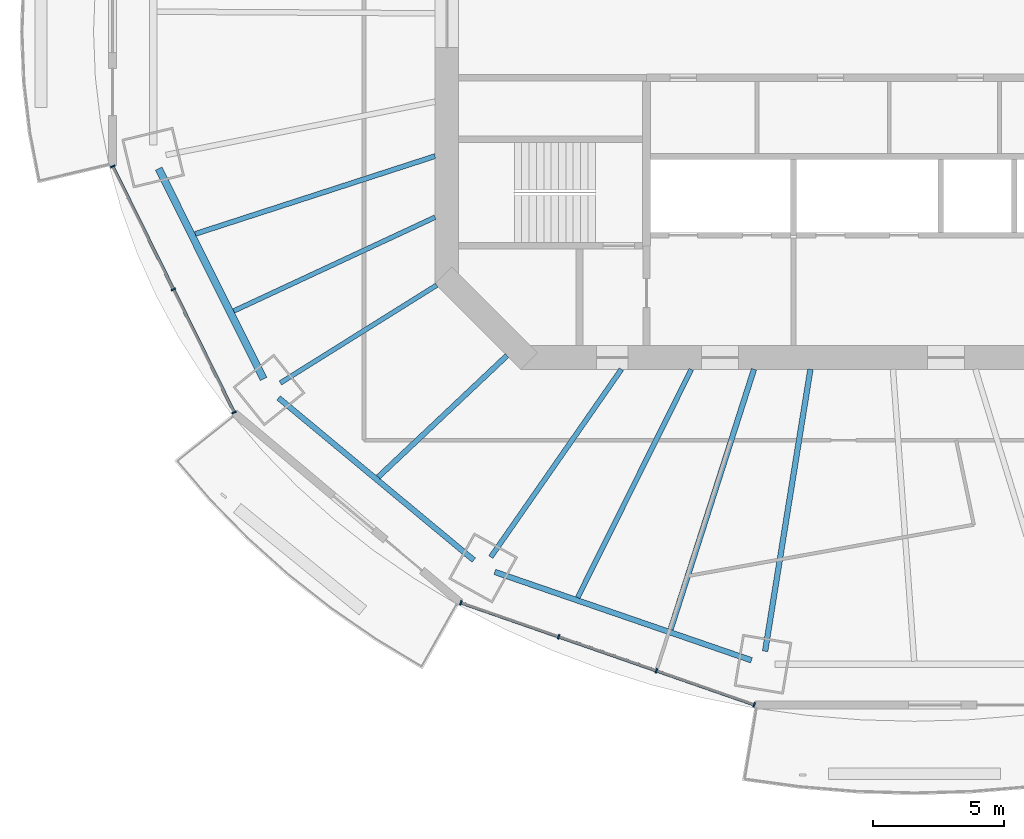
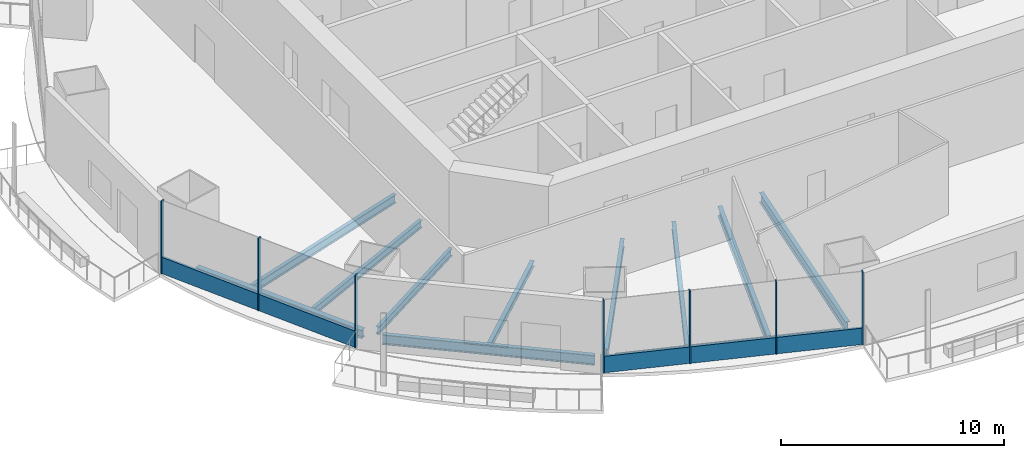
# One storey, part 2 of 20: 11 beams, 9 members, 2 elements without a shape of their own.
"""IFC4 building model written with IfcOpenShell, lengths in metres."""

from ifc_helpers import new_model, si_unit, direction, frame, origin, origin_2d, place, context, subcontext, project, spatial, rectangle, i_section, extrude, material, material_profile, profile_set, type_object, element, aggregate, save


model = new_model("IFC4")

# Units and contexts
model_context = context("Model", 3, precision=1e-05, world=origin(), true_north=direction((0.0, 1.0)))
body_context = subcontext(model_context, "Body", "Model", "MODEL_VIEW")
ifc_project = project(units=[si_unit("LENGTHUNIT", "METRE"), si_unit("AREAUNIT", "SQUARE_METRE"), si_unit("VOLUMEUNIT", "CUBIC_METRE"), si_unit("PLANEANGLEUNIT", "RADIAN"), si_unit("MASSUNIT", "GRAM", prefix="KILO")], contexts=[model_context])

# Site, building, storey
site_placement = place(None, origin())
site = spatial("IfcSite", under=ifc_project, at=site_placement, CompositionType="ELEMENT")
building_placement = place(site_placement, origin())
building = spatial("IfcBuilding", under=site, at=building_placement, Name="Marenthal Gate Tower", CompositionType="ELEMENT")
storey_placement = place(building_placement, frame((0.0, 0.0, 215.0)))
storey = spatial("IfcBuildingStorey", under=building, at=storey_placement, Name="L47", CompositionType="ELEMENT", Elevation=215.0)

# Curtain wall, members
ifc_material_1 = material(Name="Aluminium and glass", Category="aluminium")
curtain_wall_type = type_object("IfcCurtainWallType", Name="Curtain wall typical mid", PredefinedType="NOTDEFINED", material=ifc_material_1)
curtain_wall_1_placement = place(storey_placement, origin())
curtain_wall_1 = element("IfcCurtainWall", 1, at=curtain_wall_1_placement, inside=storey, type_object=curtain_wall_type, Name="Curtain wall L47 bay 9", PredefinedType="NOTDEFINED")
ifc_material_2 = material(Name="Aluminium", Category="aluminium")
ifc_material_profile_1 = material_profile(ifc_material_2, rectangle(XDim=0.179931640625, YDim=0.06005859375, at=origin_2d()), Name="60x180 aluminium mullion")
ifc_profile_set_1 = profile_set([ifc_material_profile_1], Name="Aluminium")
member_type_1 = type_object("IfcMemberType", Name="Mullion 60x180 typical mid", PredefinedType="MULLION", material=ifc_profile_set_1)
member_1_placement = place(storey_placement, frame((-28.718505859375, -5.724609375, 0.0), z_axis=(0.0, 0.0, 1.0), x_axis=(0.896756924648, 0.442523466153, 0.0)))
member_1 = element("IfcMember", 2, at=member_1_placement, type_object=member_type_1, Name="Mullion L47 bay 9.1", PredefinedType="MULLION", context=body_context, shape_type="SweptSolid", body=[
    extrude(rectangle(XDim=0.179931640625, YDim=0.06005859375, at=origin_2d()), origin(), (0.0, 0.0, 1.0), 3.969970703125),
])
member_2_placement = place(storey_placement, frame((-26.40771484375, -10.407470703125, 0.0), z_axis=(0.0, 0.0, 1.0), x_axis=(0.896756924648, 0.442523466153, 0.0)))
member_2 = element("IfcMember", 3, at=member_2_placement, type_object=member_type_1, Name="Mullion L47 bay 9.2", PredefinedType="MULLION", context=body_context, shape_type="SweptSolid", body=[
    extrude(rectangle(XDim=0.179931640625, YDim=0.06005859375, at=origin_2d()), origin(), (0.0, 0.0, 1.0), 3.969970703125),
])
member_3_placement = place(storey_placement, frame((-24.096923828125, -15.090087890625, 0.0), z_axis=(0.0, 0.0, 1.0), x_axis=(0.896756924648, 0.442523466153, 0.0)))
member_3 = element("IfcMember", 4, at=member_3_placement, type_object=member_type_1, Name="Mullion L47 bay 9.3", PredefinedType="MULLION", context=body_context, shape_type="SweptSolid", body=[
    extrude(rectangle(XDim=0.179931640625, YDim=0.06005859375, at=origin_2d()), origin(), (0.0, 0.0, 1.0), 3.969970703125),
])

curtain_wall_2_placement = place(storey_placement, origin())
curtain_wall_2 = element("IfcCurtainWall", 5, at=curtain_wall_2_placement, inside=storey, type_object=curtain_wall_type, Name="Curtain wall L47 bay 11", PredefinedType="NOTDEFINED")
member_4_placement = place(storey_placement, frame((-15.466552734375, -22.336181640625, 0.0), z_axis=(0.0, 0.0, 1.0), x_axis=(0.328400483847, 0.944538576348, 0.0)))
member_4 = element("IfcMember", 6, at=member_4_placement, type_object=member_type_1, Name="Mullion L47 bay 11.1", PredefinedType="MULLION", context=body_context, shape_type="SweptSolid", body=[
    extrude(rectangle(XDim=0.179931640625, YDim=0.06005859375, at=origin_2d()), origin(), (0.0, 0.0, 1.0), 3.969970703125),
])
member_5_placement = place(storey_placement, frame((-11.744873046875, -23.630126953125, 0.0), z_axis=(0.0, 0.0, 1.0), x_axis=(0.328400483847, 0.944538576348, 0.0)))
member_5 = element("IfcMember", 7, at=member_5_placement, type_object=member_type_1, Name="Mullion L47 bay 11.2", PredefinedType="MULLION", context=body_context, shape_type="SweptSolid", body=[
    extrude(rectangle(XDim=0.179931640625, YDim=0.06005859375, at=origin_2d()), origin(), (0.0, 0.0, 1.0), 3.969970703125),
])
member_6_placement = place(storey_placement, frame((-8.023193359375, -24.924072265625, 0.0), z_axis=(0.0, 0.0, 1.0), x_axis=(0.328400483847, 0.944538576348, 0.0)))
member_6 = element("IfcMember", 8, at=member_6_placement, type_object=member_type_1, Name="Mullion L47 bay 11.3", PredefinedType="MULLION", context=body_context, shape_type="SweptSolid", body=[
    extrude(rectangle(XDim=0.179931640625, YDim=0.06005859375, at=origin_2d()), origin(), (0.0, 0.0, 1.0), 3.969970703125),
])
member_7_placement = place(storey_placement, frame((-4.301513671875, -26.218017578125, 0.0), z_axis=(0.0, 0.0, 1.0), x_axis=(0.328400483847, 0.944538576348, 0.0)))
member_7 = element("IfcMember", 9, at=member_7_placement, type_object=member_type_1, Name="Mullion L47 bay 11.4", PredefinedType="MULLION", context=body_context, shape_type="SweptSolid", body=[
    extrude(rectangle(XDim=0.179931640625, YDim=0.06005859375, at=origin_2d()), origin(), (0.0, 0.0, 1.0), 3.969970703125),
])

# Member
ifc_material_3 = material(Name="Aluminium", Category="aluminium")
ifc_material_profile_2 = material_profile(ifc_material_3, rectangle(XDim=0.1201171875, YDim=0.89990234375, at=origin_2d()), Name="120x900 aluminium transom")
ifc_profile_set_2 = profile_set([ifc_material_profile_2], Name="Aluminium")
member_type_2 = type_object("IfcMemberType", Name="Transom 120x900 typical mid", PredefinedType="USERDEFINED", material=ifc_profile_set_2)
member_8_placement = place(storey_placement, frame((-28.705322265625, -5.75146484375, 0.449951171875), z_axis=(0.442533403339, -0.896752020867, 0.0), x_axis=(0.896752020867, 0.442533403339, 0.0)))
member_8 = element("IfcMember", 10, at=member_8_placement, type_object=member_type_2, Name="Transom L47 bay 9", ObjectType="TRANSOM", PredefinedType="USERDEFINED", context=body_context, shape_type="SweptSolid", body=[
    extrude(rectangle(XDim=0.1201171875, YDim=0.89990234375, at=origin_2d()), origin(), (0.0, 0.0, 1.0), 10.3837890625),
])

aggregate(curtain_wall_1, [member_1, member_2, member_3, member_8])

member_9_placement = place(storey_placement, frame((-15.438232421875, -22.345947265625, 0.449951171875), z_axis=(0.944535997597, -0.328407900703, 0.0), x_axis=(0.328407900703, 0.944535997597, 0.0)))
member_9 = element("IfcMember", 11, at=member_9_placement, type_object=member_type_2, Name="Transom L47 bay 11", ObjectType="TRANSOM", PredefinedType="USERDEFINED", context=body_context, shape_type="SweptSolid", body=[
    extrude(rectangle(XDim=0.1201171875, YDim=0.89990234375, at=origin_2d()), origin(), (0.0, 0.0, 1.0), 11.7607421875),
])

aggregate(curtain_wall_2, [member_4, member_5, member_6, member_7, member_9])

# Beams
ifc_material_4 = material(Name="Steel S355", Category="steel")
ifc_material_profile_3 = material_profile(ifc_material_4, i_section(OverallWidth=0.205078125, OverallDepth=0.31005859375, WebThickness=0.009521484375, FlangeThickness=0.016357421875, FilletRadius=0.0126953125, at=origin_2d()), Name="W310X74")
ifc_profile_set_3 = profile_set([ifc_material_profile_3], Name="Steel S355")
beam_type_1 = type_object("IfcBeamType", Name="W310X74 beam", PredefinedType="BEAM", material=ifc_profile_set_3)
beam_1_placement = place(storey_placement, frame((-18.61572265625, -17.552734375, -0.3349609375), z_axis=(0.727566170505, 0.686037511756, 0.0), x_axis=(-0.686037511756, 0.727566170505, 0.0)))
element("IfcBeam", 12, at=beam_1_placement, inside=storey, type_object=beam_type_1, Name="BM-L47-31", PredefinedType="BEAM", context=body_context, shape_type="SweptSolid", body=[
    extrude(i_section(OverallWidth=0.205078125, OverallDepth=0.31005859375, WebThickness=0.009521484375, FlangeThickness=0.016357421875, FilletRadius=0.0126953125, at=origin_2d()), origin(), (0.0, 0.0, 1.0), 6.742919921875),
])
ifc_material_5 = material(Name="Steel S355", Category="steel")
ifc_material_profile_4 = material_profile(ifc_material_5, i_section(OverallWidth=0.180908203125, OverallDepth=0.4169921875, WebThickness=0.010986328125, FlangeThickness=0.018310546875, FilletRadius=0.01025390625, at=origin_2d()), Name="W410X85")
ifc_profile_set_4 = profile_set([ifc_material_profile_4], Name="Steel S355")
beam_type_2 = type_object("IfcBeamType", Name="W410X85 beam", PredefinedType="BEAM", material=ifc_profile_set_4)
beam_2_placement = place(storey_placement, frame((-22.33984375, -13.97021484375, -0.388427734375), z_axis=(0.847861501348, 0.530217761426, 0.0), x_axis=(-0.530217761426, 0.847861501348, 0.0)))
element("IfcBeam", 13, at=beam_2_placement, inside=storey, type_object=beam_type_2, Name="BM-L47-10", PredefinedType="BEAM", context=body_context, shape_type="SweptSolid", body=[
    extrude(i_section(OverallWidth=0.180908203125, OverallDepth=0.4169921875, WebThickness=0.010986328125, FlangeThickness=0.018310546875, FilletRadius=0.01025390625, at=origin_2d()), origin(), (0.0, 0.0, 1.0), 7.01953125),
])
beam_3_placement = place(storey_placement, frame((-24.1142578125, -11.23046875, -0.388427734375), z_axis=(0.906515570003, 0.422172383444, 0.0), x_axis=(-0.422172383444, 0.906515570003, 0.0)))
element("IfcBeam", 14, at=beam_3_placement, inside=storey, type_object=beam_type_2, Name="BM-L47-30", PredefinedType="BEAM", context=body_context, shape_type="SweptSolid", body=[
    extrude(i_section(OverallWidth=0.180908203125, OverallDepth=0.4169921875, WebThickness=0.010986328125, FlangeThickness=0.018310546875, FilletRadius=0.01025390625, at=origin_2d()), origin(), (0.0, 0.0, 1.0), 8.45458984375),
])
ifc_material_6 = material(Name="Steel S355", Category="steel")
ifc_material_profile_5 = material_profile(ifc_material_6, i_section(OverallWidth=0.279052734375, OverallDepth=0.4619140625, WebThickness=0.0107421875, FlangeThickness=0.017333984375, FilletRadius=0.010009765625, at=origin_2d()), Name="W460X113")
ifc_profile_set_5 = profile_set([ifc_material_profile_5], Name="Steel S355")
beam_type_3 = type_object("IfcBeamType", Name="W460X113 beam", PredefinedType="BEAM", material=ifc_profile_set_5)
beam_4_placement = place(storey_placement, frame((-26.97021484375, -5.814697265625, -0.410888671875), z_axis=(0.44619754622, -0.894934494668, 0.0), x_axis=(0.894934494668, 0.44619754622, 0.0)))
element("IfcBeam", 15, at=beam_4_placement, inside=storey, type_object=beam_type_3, Name="BM-L47-49", PredefinedType="BEAM", context=body_context, shape_type="SweptSolid", body=[
    extrude(i_section(OverallWidth=0.279052734375, OverallDepth=0.4619140625, WebThickness=0.0107421875, FlangeThickness=0.017333984375, FilletRadius=0.010009765625, at=origin_2d()), origin(), (0.0, 0.0, 1.0), 8.941162109375),
])
ifc_material_7 = material(Name="Steel S355", Category="steel")
ifc_material_profile_6 = material_profile(ifc_material_7, i_section(OverallWidth=0.193115234375, OverallDepth=0.467041015625, WebThickness=0.011474609375, FlangeThickness=0.01904296875, FilletRadius=0.010009765625, at=origin_2d()), Name="W460X97")
ifc_profile_set_6 = profile_set([ifc_material_profile_6], Name="Steel S355")
beam_type_4 = type_object("IfcBeamType", Name="W460X97 beam", PredefinedType="BEAM", material=ifc_profile_set_6)
beam_5_placement = place(storey_placement, frame((-14.32861328125, -20.597900390625, -0.41357421875), z_axis=(0.571058737627, 0.820909202153, 0.0), x_axis=(-0.820909202153, 0.571058737627, 0.0)))
element("IfcBeam", 16, at=beam_5_placement, inside=storey, type_object=beam_type_4, Name="BM-L47-11", PredefinedType="BEAM", context=body_context, shape_type="SweptSolid", body=[
    extrude(i_section(OverallWidth=0.193115234375, OverallDepth=0.467041015625, WebThickness=0.011474609375, FlangeThickness=0.01904296875, FilletRadius=0.010009765625, at=origin_2d()), origin(), (0.0, 0.0, 1.0), 8.707275390625),
])
beam_6_placement = place(storey_placement, frame((-25.577392578125, -8.2958984375, -0.41357421875), z_axis=(0.951216764882, 0.308523364119, 0.0), x_axis=(-0.308523364119, 0.951216764882, 0.0)))
element("IfcBeam", 17, at=beam_6_placement, inside=storey, type_object=beam_type_4, Name="BM-L47-29", PredefinedType="BEAM", context=body_context, shape_type="SweptSolid", body=[
    extrude(i_section(OverallWidth=0.193115234375, OverallDepth=0.467041015625, WebThickness=0.011474609375, FlangeThickness=0.01904296875, FilletRadius=0.010009765625, at=origin_2d()), origin(), (0.0, 0.0, 1.0), 9.595458984375),
])
beam_7_placement = place(storey_placement, frame((-11.018798828125, -22.138916015625, -0.41357421875), z_axis=(0.445582855752, 0.895240704314, 0.0), x_axis=(-0.895240704314, 0.445582855752, 0.0)))
element("IfcBeam", 18, at=beam_7_placement, inside=storey, type_object=beam_type_4, Name="BM-L47-32", PredefinedType="BEAM", context=body_context, shape_type="SweptSolid", body=[
    extrude(i_section(OverallWidth=0.193115234375, OverallDepth=0.467041015625, WebThickness=0.011474609375, FlangeThickness=0.01904296875, FilletRadius=0.010009765625, at=origin_2d()), origin(), (0.0, 0.0, 1.0), 9.705810546875),
])
ifc_material_8 = material(Name="Steel S355", Category="steel")
ifc_material_profile_7 = material_profile(ifc_material_8, i_section(OverallWidth=0.2099609375, OverallDepth=0.535888671875, WebThickness=0.010986328125, FlangeThickness=0.017333984375, FilletRadius=0.0126953125, at=origin_2d()), Name="W530X101")
ifc_profile_set_7 = profile_set([ifc_material_profile_7], Name="Steel S355")
beam_type_5 = type_object("IfcBeamType", Name="W530X101 beam", PredefinedType="BEAM", material=ifc_profile_set_7)
beam_8_placement = place(storey_placement, frame((-7.4833984375, -23.35546875, -0.447998046875), z_axis=(0.305129993383, 0.952310709348, 0.0), x_axis=(-0.952310709348, 0.305129993383, 0.0)))
element("IfcBeam", 19, at=beam_8_placement, inside=storey, type_object=beam_type_5, Name="BM-L47-33", PredefinedType="BEAM", context=body_context, shape_type="SweptSolid", body=[
    extrude(i_section(OverallWidth=0.2099609375, OverallDepth=0.535888671875, WebThickness=0.010986328125, FlangeThickness=0.017333984375, FilletRadius=0.0126953125, at=origin_2d()), origin(), (0.0, 0.0, 1.0), 10.401611328125),
])
ifc_material_9 = material(Name="Steel S355", Category="steel")
ifc_material_profile_8 = material_profile(ifc_material_9, i_section(OverallWidth=0.2119140625, OverallDepth=0.5439453125, WebThickness=0.01318359375, FlangeThickness=0.021240234375, FilletRadius=0.0126953125, at=origin_2d()), Name="W530X123")
ifc_profile_set_8 = profile_set([ifc_material_profile_8], Name="Steel S355")
beam_type_6 = type_object("IfcBeamType", Name="W530X123 beam", PredefinedType="BEAM", material=ifc_profile_set_8)
beam_9_placement = place(storey_placement, frame((-3.885498046875, -24.184814453125, -0.451904296875), z_axis=(0.158621026168, 0.987339541423, 0.0), x_axis=(-0.987339541423, 0.158621026168, 0.0)))
element("IfcBeam", 20, at=beam_9_placement, inside=storey, type_object=beam_type_6, Name="BM-L47-12", PredefinedType="BEAM", context=body_context, shape_type="SweptSolid", body=[
    extrude(i_section(OverallWidth=0.2119140625, OverallDepth=0.5439453125, WebThickness=0.01318359375, FlangeThickness=0.021240234375, FilletRadius=0.0126953125, at=origin_2d()), origin(), (0.0, 0.0, 1.0), 10.87255859375),
])
beam_10_placement = place(storey_placement, frame((-22.408935546875, -14.539306640625, -0.451904296875), z_axis=(0.769187507268, -0.639023144074, 0.0), x_axis=(0.639023144074, 0.769187507268, 0.0)))
element("IfcBeam", 21, at=beam_10_placement, inside=storey, type_object=beam_type_6, Name="BM-L47-50", PredefinedType="BEAM", context=body_context, shape_type="SweptSolid", body=[
    extrude(i_section(OverallWidth=0.2119140625, OverallDepth=0.5439453125, WebThickness=0.01318359375, FlangeThickness=0.021240234375, FilletRadius=0.0126953125, at=origin_2d()), origin(), (0.0, 0.0, 1.0), 9.663330078125),
])
beam_11_placement = place(storey_placement, frame((-14.177490234375, -21.163818359375, -0.451904296875), z_axis=(0.945570591429, -0.325417050299, 0.0), x_axis=(0.325417050299, 0.945570591429, 0.0)))
element("IfcBeam", 22, at=beam_11_placement, inside=storey, type_object=beam_type_6, Name="BM-L47-51", PredefinedType="BEAM", context=body_context, shape_type="SweptSolid", body=[
    extrude(i_section(OverallWidth=0.2119140625, OverallDepth=0.5439453125, WebThickness=0.01318359375, FlangeThickness=0.021240234375, FilletRadius=0.0126953125, at=origin_2d()), origin(), (0.0, 0.0, 1.0), 10.3369140625),
])

save(model, "model.ifc")
